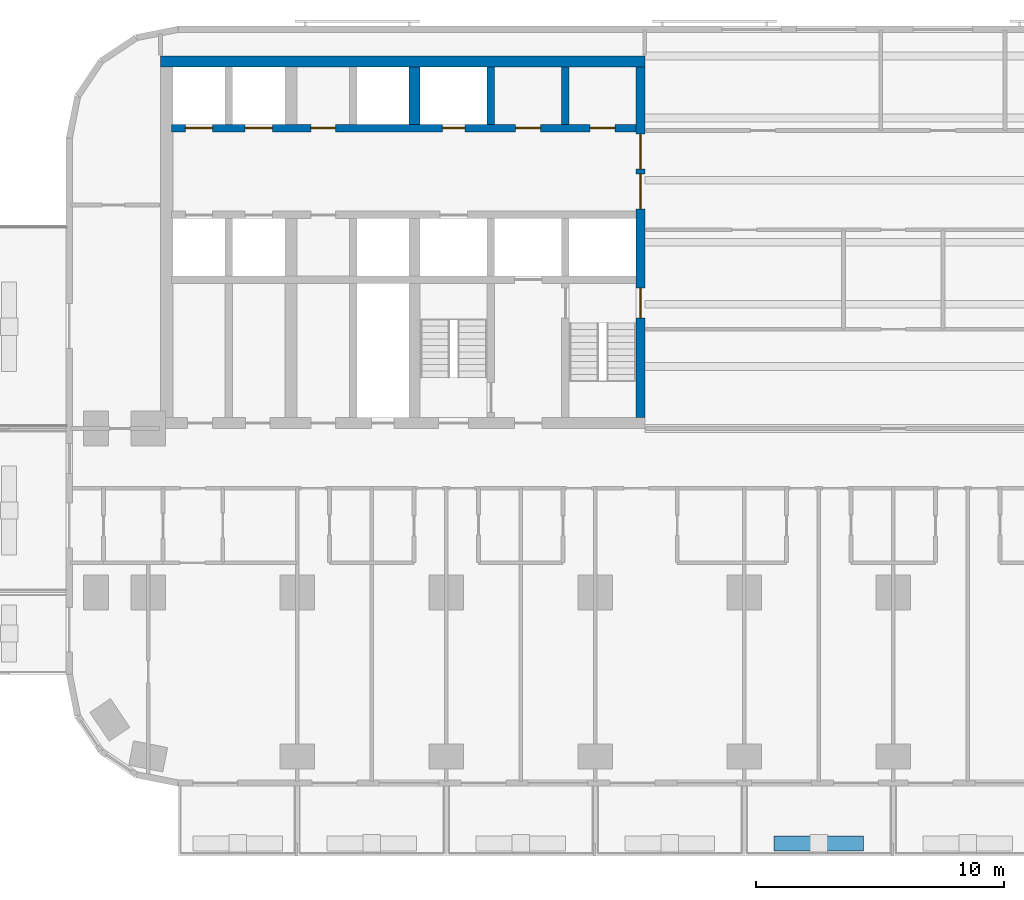
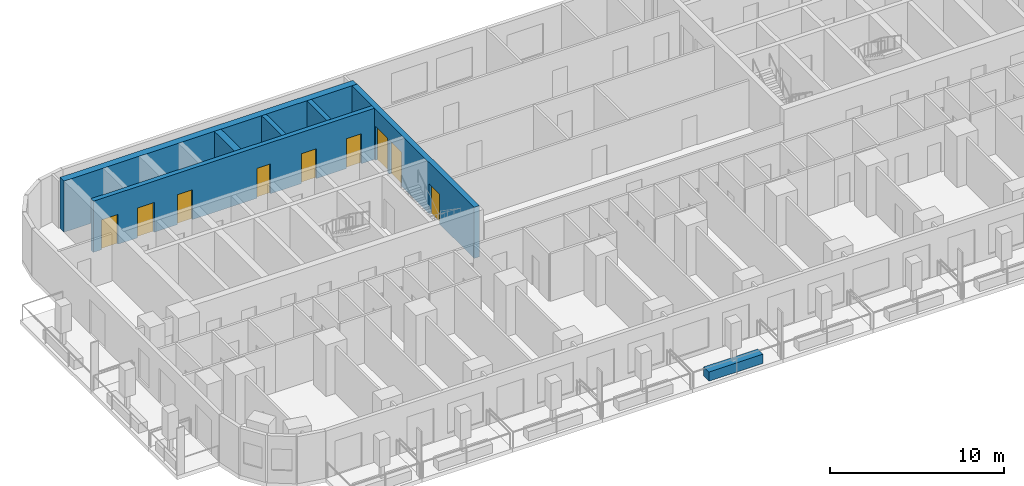
# One storey, part 4 of 15: 9 doors, 7 walls, 9 openings.
"""IFC4 building model written with IfcOpenShell, lengths in metres."""

import ifcopenshell
import ifcopenshell.guid

model = None  # the IFC model being written
_history = None  # IfcOwnerHistory: only IFC2X3 demands one
_inside = {}  # id of a spatial element -> (the spatial element, [elements in it])
_under = {}  # id of a project, library or spatial element -> (it, [spatial elements below it])
_declared = {}  # id of a project -> (the project, [libraries it declares])
_typed = {}  # id of a type object -> (the type object, [elements of that type])
_made_of = {}  # id of a material, layer set ... -> (it, [elements and type objects made of it])


def new_model(schema):
    """Start an empty IFC model of exactly this schema.

    Asked for "IFC4X3", IfcOpenShell would pick the latest addendum, in which some entities
    have other attributes; the version numbers below select the first issue.
    IFC2X3 requires an IfcOwnerHistory on every rooted entity: one is made here for all.
    """
    global model, _history
    if schema == "IFC4X3":
        model = ifcopenshell.file(schema_version=(4, 3, 0, 0))
    else:
        model = ifcopenshell.file(schema=schema)
    _inside.clear()
    _under.clear()
    _declared.clear()
    _typed.clear()
    _made_of.clear()
    _history = None
    if model.schema == "IFC2X3":
        org = make("IfcOrganization", Name="unknown")
        user = make(
            "IfcPersonAndOrganization",
            ThePerson=make("IfcPerson", FamilyName="unknown"),
            TheOrganization=org,
        )
        app = make(
            "IfcApplication",
            ApplicationDeveloper=org,
            Version="unknown",
            ApplicationFullName="unknown",
            ApplicationIdentifier="unknown",
        )
        _history = make(
            "IfcOwnerHistory",
            OwningUser=user,
            OwningApplication=app,
            ChangeAction="ADDED",
            CreationDate=0,
        )
    return model


def make(cls, **values):
    """One entity of the class cls with the attributes given. An attribute that is None is left unset."""
    return model.create_entity(
        cls, **{name: value for name, value in values.items() if value is not None}
    )


def rooted(cls, **values):
    """An entity with a GlobalId (a new one), such as an element, a storey or a relation."""
    return make(cls, GlobalId=ifcopenshell.guid.new(), OwnerHistory=_history, **values)


def si_unit(unit_type, name, prefix=None):
    """IfcSIUnit, for example si_unit("LENGTHUNIT", "METRE", prefix="MILLI")."""
    return make("IfcSIUnit", UnitType=unit_type, Prefix=prefix, Name=name)


def assignment(units):
    """IfcUnitAssignment: the units of a project."""
    return None if units is None else make("IfcUnitAssignment", Units=units)


def point(xyz):
    """IfcCartesianPoint."""
    return None if xyz is None else make("IfcCartesianPoint", Coordinates=xyz)


def direction(xyz):
    """IfcDirection."""
    return None if xyz is None else make("IfcDirection", DirectionRatios=xyz)


def frame(location, z_axis=None, x_axis=None):
    """IfcAxis2Placement3D, a coordinate frame: its origin and axes. An axis left out is left unset."""
    return make(
        "IfcAxis2Placement3D",
        Location=point(location),
        Axis=direction(z_axis),
        RefDirection=direction(x_axis),
    )


def frame_2d(location, x_axis=None):
    """IfcAxis2Placement2D, a coordinate frame in the plane: its origin and x axis."""
    return make(
        "IfcAxis2Placement2D", Location=point(location), RefDirection=direction(x_axis)
    )


def origin():
    """The frame at (0, 0, 0) with its axes left unset."""
    return frame((0.0, 0.0, 0.0))


def place(relative_to, where):
    """IfcLocalPlacement: puts the frame where relative to a parent placement (None: the world)."""
    return make(
        "IfcLocalPlacement", PlacementRelTo=relative_to, RelativePlacement=where
    )


def context(
    kind, dimensions, precision=None, world=None, true_north=None, identifier=None
):
    """IfcGeometricRepresentationContext, for example the 3D "Model" context."""
    return make(
        "IfcGeometricRepresentationContext",
        ContextIdentifier=identifier,
        ContextType=kind,
        CoordinateSpaceDimension=dimensions,
        Precision=precision,
        WorldCoordinateSystem=world,
        TrueNorth=true_north,
    )


def subcontext(parent, identifier, kind, view, scale=None):
    """IfcGeometricRepresentationSubContext, for example "Body" below "Model"."""
    return make(
        "IfcGeometricRepresentationSubContext",
        ContextIdentifier=identifier,
        ContextType=kind,
        ParentContext=parent,
        TargetScale=scale,
        TargetView=view,
    )


def project(units=None, contexts=None):
    """IfcProject with its units and contexts."""
    return rooted(
        "IfcProject",
        Name="project",
        RepresentationContexts=contexts,
        UnitsInContext=assignment(units),
    )


def spatial(cls, under=None, at=None, **own):
    """A site, building, storey or space (cls), placed at a placement, below another one or the project."""
    s = rooted(cls, ObjectPlacement=at, **own)
    if under is not None:
        _under.setdefault(under.id(), (under, []))[1].append(s)
    return s


def profile(cls, at=None, kind="AREA", **sizes):
    """A parametric profile (cls). Its sizes go by their IFC names, for example OverallWidth=200.0."""
    return make(cls, ProfileType=kind, Position=at, **sizes)


def rectangle(**sizes):
    """IfcRectangleProfileDef."""
    return profile("IfcRectangleProfileDef", **sizes)


def extrude(swept, where, along, depth):
    """IfcExtrudedAreaSolid: the profile swept, set in the frame where, extruded along a direction by depth."""
    return make(
        "IfcExtrudedAreaSolid",
        SweptArea=swept,
        Position=where,
        ExtrudedDirection=direction(along),
        Depth=depth,
    )


def shape(context_of_items, identifier, shape_type, items):
    """IfcShapeRepresentation: the items that make up one representation, for example the "Body"."""
    return make(
        "IfcShapeRepresentation",
        ContextOfItems=context_of_items,
        RepresentationIdentifier=identifier,
        RepresentationType=shape_type,
        Items=items,
    )


def material(Name=None, Category=None):
    """IfcMaterial."""
    return make("IfcMaterial", Name=Name, Category=Category)


def layer(
    of_material, thickness, ventilated=None, Name=None, Category=None, Priority=None
):
    """IfcMaterialLayer: one layer of a wall or slab, of a material (None: an air gap)."""
    return make(
        "IfcMaterialLayer",
        Material=of_material,
        LayerThickness=thickness,
        IsVentilated=ventilated,
        Name=Name,
        Category=Category,
        Priority=Priority,
    )


def layer_set(layers, Name=None):
    """IfcMaterialLayerSet."""
    return make("IfcMaterialLayerSet", MaterialLayers=layers, LayerSetName=Name)


def made_of(thing, what):
    """Note that an element or type object is made of a material, layer set ...; save() writes the relation."""
    if what is not None:
        _made_of.setdefault(what.id(), (what, []))[1].append(thing)
    return thing


def type_object(cls, material=None, **own):
    """A type object (cls), such as IfcWallType, which elements share."""
    return made_of(rooted(cls, **own), material)


def element(
    cls,
    number,
    at=None,
    inside=None,
    cuts=None,
    type_object=None,
    material=None,
    context=None,
    identifier="Body",
    shape_type=None,
    held_by="IfcProductDefinitionShape",
    body=None,
    shapes=None,
    **own,
):
    """One element of the class cls, such as IfcWall. Its Tag is "e" and its number.

    at: its placement. inside: the storey or other place that contains it. cuts: it is an
    opening in that element (IfcRelVoidsElement). A single representation is given by context,
    identifier, shape_type and body (its items); several are given by shapes. held_by: the class
    of the entity that holds the representations. save() writes the other relations.
    """
    e = rooted(cls, Tag="e%d" % number, ObjectPlacement=at, **own)
    if body is not None:
        shapes = [shape(context, identifier, shape_type, body)]
    if shapes is not None:
        e.Representation = make(held_by, Representations=shapes)
    if inside is not None:
        _inside.setdefault(inside.id(), (inside, []))[1].append(e)
    if cuts is not None:
        rooted(
            "IfcRelVoidsElement", RelatingBuildingElement=cuts, RelatedOpeningElement=e
        )
    if type_object is not None:
        _typed.setdefault(type_object.id(), (type_object, []))[1].append(e)
    return made_of(e, material)


def fill(opening, filler):
    """IfcRelFillsElement: the door or window that sits in an opening."""
    return rooted(
        "IfcRelFillsElement",
        RelatingOpeningElement=opening,
        RelatedBuildingElement=filler,
    )


def aggregate(whole, parts):
    """IfcRelAggregates: a whole, such as a stair, and the parts it consists of."""
    return rooted("IfcRelAggregates", RelatingObject=whole, RelatedObjects=parts)


def save(model, path):
    """Write the relations noted so far, then the file.

    IfcRelAggregates (storeys below a building ...), IfcRelContainedInSpatialStructure (elements
    in a storey), IfcRelDefinesByType, IfcRelAssociatesMaterial and IfcRelDeclares: one each for
    every whole, place, type object, material and project.
    """
    for whole, parts in _under.values():
        aggregate(whole, parts)
    for where, things in _inside.values():
        rooted(
            "IfcRelContainedInSpatialStructure",
            RelatedElements=things,
            RelatingStructure=where,
        )
    for kind, things in _typed.values():
        rooted("IfcRelDefinesByType", RelatedObjects=things, RelatingType=kind)
    for what, things in _made_of.values():
        rooted("IfcRelAssociatesMaterial", RelatedObjects=things, RelatingMaterial=what)
    for by, libraries in _declared.values():
        rooted("IfcRelDeclares", RelatingContext=by, RelatedDefinitions=libraries)
    model.write(path)


model = new_model("IFC4")

# Units and contexts
model_context = context("Model", 3, precision=1e-05, world=origin(), true_north=direction((0.0, 1.0)))
body_context = subcontext(model_context, "Body", "Model", "MODEL_VIEW")
ifc_project = project(units=[si_unit("LENGTHUNIT", "METRE"), si_unit("AREAUNIT", "SQUARE_METRE"), si_unit("VOLUMEUNIT", "CUBIC_METRE"), si_unit("PLANEANGLEUNIT", "RADIAN"), si_unit("MASSUNIT", "GRAM", prefix="KILO")], contexts=[model_context])

# Site, building, storey
site_placement = place(None, origin())
site = spatial("IfcSite", under=ifc_project, at=site_placement, CompositionType="ELEMENT")
building_placement = place(site_placement, origin())
building = spatial("IfcBuilding", under=site, at=building_placement, Name="Torana Hotel and Residences", CompositionType="ELEMENT")
storey_placement = place(building_placement, frame((0.0, 0.0, 52.800048828125)))
storey = spatial("IfcBuildingStorey", under=building, at=storey_placement, Name="L12", CompositionType="ELEMENT", Elevation=52.800048828125)

# Wall, openings, doors
ifc_material_1 = material(Name="Concrete C80/95", Category="concrete")
ifc_layer_1 = layer(ifc_material_1, 0.300048828125)
ifc_layer_set_1 = layer_set([ifc_layer_1], Name="CORE WALL 300 C80/95")
wall_type_1 = type_object("IfcWallType", Name="CORE WALL 300 C80/95", PredefinedType="SHEAR", material=ifc_layer_set_1)
wall_1_placement = place(storey_placement, frame((-29.050048828125, -2.89990234375, 0.0), z_axis=(0.0, 0.0, 1.0), x_axis=(1.0, 0.0, 0.0)))
wall_1 = element("IfcWall", 1, at=wall_1_placement, inside=storey, type_object=wall_type_1, Name="Core wall W row-N", PredefinedType="SHEAR", context=body_context, shape_type="SweptSolid", body=[
    extrude(rectangle(XDim=18.699951171875, YDim=0.300048828125, at=frame_2d((9.35009765625, 0.0))), origin(), (0.0, 0.0, 1.0), 3.599853515625),
])
opening_1_placement = place(wall_1_placement, frame((2.949951171875, 0.0, 0.0)))
opening_1 = element("IfcOpeningElement", 2, at=opening_1_placement, cuts=wall_1, Name="Opening LD", PredefinedType="OPENING", context=body_context, shape_type="SweptSolid", body=[
    extrude(rectangle(XDim=1.10009765625, YDim=2.10009765625, at=frame_2d((0.550048828125, 1.050048828125))), frame((0.0, 0.159912109375, 0.0), z_axis=(0.0, -1.0, 0.0), x_axis=(1.0, 0.0, 0.0)), (0.0, 0.0, 1.0), 0.320068359375),
])
opening_2_placement = place(wall_1_placement, frame((0.550048828125, 0.0, 0.0)))
opening_2 = element("IfcOpeningElement", 3, at=opening_2_placement, cuts=wall_1, Name="Opening LD", PredefinedType="OPENING", context=body_context, shape_type="SweptSolid", body=[
    extrude(rectangle(XDim=1.10009765625, YDim=2.10009765625, at=frame_2d((0.550048828125, 1.050048828125))), frame((0.0, 0.159912109375, 0.0), z_axis=(0.0, -1.0, 0.0), x_axis=(1.0, 0.0, 0.0)), (0.0, 0.0, 1.0), 0.320068359375),
])
opening_3_placement = place(wall_1_placement, frame((10.89990234375, 0.0, 0.0)))
opening_3 = element("IfcOpeningElement", 4, at=opening_3_placement, cuts=wall_1, Name="Opening L12-10", PredefinedType="OPENING", context=body_context, shape_type="SweptSolid", body=[
    extrude(rectangle(XDim=0.89990234375, YDim=2.10009765625, at=frame_2d((0.449951171875, 1.050048828125))), frame((0.0, 0.159912109375, 0.0), z_axis=(0.0, -1.0, 0.0), x_axis=(1.0, 0.0, 0.0)), (0.0, 0.0, 1.0), 0.320068359375),
])
opening_4_placement = place(wall_1_placement, frame((16.85009765625, 0.0, 0.0)))
opening_4 = element("IfcOpeningElement", 5, at=opening_4_placement, cuts=wall_1, Name="Opening L12-11", PredefinedType="OPENING", context=body_context, shape_type="SweptSolid", body=[
    extrude(rectangle(XDim=1.0, YDim=2.10009765625, at=frame_2d((0.5, 1.050048828125))), frame((0.0, 0.159912109375, 0.0), z_axis=(0.0, -1.0, 0.0), x_axis=(1.0, 0.0, 0.0)), (0.0, 0.0, 1.0), 0.320068359375),
])
opening_5_placement = place(wall_1_placement, frame((13.85009765625, 0.0, 0.0)))
opening_5 = element("IfcOpeningElement", 6, at=opening_5_placement, cuts=wall_1, Name="Opening L12-12", PredefinedType="OPENING", context=body_context, shape_type="SweptSolid", body=[
    extrude(rectangle(XDim=1.0, YDim=2.10009765625, at=frame_2d((0.5, 1.050048828125))), frame((0.0, 0.159912109375, 0.0), z_axis=(0.0, -1.0, 0.0), x_axis=(1.0, 0.0, 0.0)), (0.0, 0.0, 1.0), 0.320068359375),
])
opening_6_placement = place(wall_1_placement, frame((5.60009765625, 0.0, 0.0)))
opening_6 = element("IfcOpeningElement", 7, at=opening_6_placement, cuts=wall_1, Name="Opening L12-13", PredefinedType="OPENING", context=body_context, shape_type="SweptSolid", body=[
    extrude(rectangle(XDim=1.0, YDim=2.10009765625, at=frame_2d((0.5, 1.050048828125))), frame((0.0, 0.159912109375, 0.0), z_axis=(0.0, -1.0, 0.0), x_axis=(1.0, 0.0, 0.0)), (0.0, 0.0, 1.0), 0.320068359375),
])
ifc_material_2 = material(Name="Steel S235", Category="steel")
door_type_1 = type_object("IfcDoorType", Name="CORE ROOM FIRE DOOR D14 1000x2100", OperationType="SINGLE_SWING_LEFT", PredefinedType="DOOR", material=ifc_material_2)
door_1_placement = place(opening_4_placement, origin())
door_1 = element("IfcDoor", 8, at=door_1_placement, inside=storey, type_object=door_type_1, Name="N0 door L12", OperationType="SINGLE_SWING_RIGHT", OverallHeight=2.10009765625, OverallWidth=1.0, PredefinedType="DOOR", context=body_context, shape_type="SweptSolid", body=[
    extrude(rectangle(XDim=1.0, YDim=2.10009765625, at=frame_2d((0.5, 1.050048828125))), frame((0.0, 0.02490234375, 0.0), z_axis=(0.0, -1.0, 0.0), x_axis=(1.0, 0.0, 0.0)), (0.0, 0.0, 1.0), 0.050048828125),
])
fill(opening_4, door_1)
door_2_placement = place(opening_5_placement, origin())
door_2 = element("IfcDoor", 9, at=door_2_placement, inside=storey, type_object=door_type_1, Name="N1 door L12", OperationType="SINGLE_SWING_RIGHT", OverallHeight=2.10009765625, OverallWidth=1.0, PredefinedType="DOOR", context=body_context, shape_type="SweptSolid", body=[
    extrude(rectangle(XDim=1.0, YDim=2.10009765625, at=frame_2d((0.5, 1.050048828125))), frame((0.0, 0.02490234375, 0.0), z_axis=(0.0, -1.0, 0.0), x_axis=(1.0, 0.0, 0.0)), (0.0, 0.0, 1.0), 0.050048828125),
])
fill(opening_5, door_2)
door_3_placement = place(opening_6_placement, origin())
door_3 = element("IfcDoor", 10, at=door_3_placement, inside=storey, type_object=door_type_1, Name="Free-M1 door L12", OperationType="SINGLE_SWING_RIGHT", OverallHeight=2.10009765625, OverallWidth=1.0, PredefinedType="DOOR", context=body_context, shape_type="SweptSolid", body=[
    extrude(rectangle(XDim=1.0, YDim=2.10009765625, at=frame_2d((0.5, 1.050048828125))), frame((0.0, 0.02490234375, 0.0), z_axis=(0.0, -1.0, 0.0), x_axis=(1.0, 0.0, 0.0)), (0.0, 0.0, 1.0), 0.050048828125),
])
fill(opening_6, door_3)
ifc_material_3 = material(Name="Stainless steel 316", Category="steel")
door_type_2 = type_object("IfcDoorType", Name="LIFT LANDING DOOR LD 1100x2100", OperationType="DOUBLE_DOOR_SLIDING", PredefinedType="USERDEFINED", material=ifc_material_3)
door_4_placement = place(opening_1_placement, origin())
door_4 = element("IfcDoor", 11, at=door_4_placement, inside=storey, type_object=door_type_2, Name="Lift landing door L1 L12", ObjectType="LIFT LANDING DOOR", OperationType="DOUBLE_DOOR_SLIDING", OverallHeight=2.10009765625, OverallWidth=1.10009765625, PredefinedType="USERDEFINED", context=body_context, shape_type="SweptSolid", body=[
    extrude(rectangle(XDim=1.10009765625, YDim=2.10009765625, at=frame_2d((0.550048828125, 1.050048828125))), frame((0.0, 0.02490234375, 0.0), z_axis=(0.0, -1.0, 0.0), x_axis=(1.0, 0.0, 0.0)), (0.0, 0.0, 1.0), 0.050048828125),
])
fill(opening_1, door_4)
door_5_placement = place(opening_2_placement, origin())
door_5 = element("IfcDoor", 12, at=door_5_placement, inside=storey, type_object=door_type_2, Name="Lift landing door L2 L12", ObjectType="LIFT LANDING DOOR", OperationType="DOUBLE_DOOR_SLIDING", OverallHeight=2.10009765625, OverallWidth=1.10009765625, PredefinedType="USERDEFINED", context=body_context, shape_type="SweptSolid", body=[
    extrude(rectangle(XDim=1.10009765625, YDim=2.10009765625, at=frame_2d((0.550048828125, 1.050048828125))), frame((0.0, 0.02490234375, 0.0), z_axis=(0.0, -1.0, 0.0), x_axis=(1.0, 0.0, 0.0)), (0.0, 0.0, 1.0), 0.050048828125),
])
fill(opening_2, door_5)
ifc_material_4 = material(Name="Steel S235", Category="steel")
door_type_3 = type_object("IfcDoorType", Name="RISER ACCESS DOOR D5 900x2100", OperationType="SINGLE_SWING_LEFT", PredefinedType="DOOR", material=ifc_material_4)
door_6_placement = place(opening_3_placement, origin())
door_6 = element("IfcDoor", 13, at=door_6_placement, inside=storey, type_object=door_type_3, Name="N2 door L12", OperationType="SINGLE_SWING_RIGHT", OverallHeight=2.10009765625, OverallWidth=0.89990234375, PredefinedType="DOOR", context=body_context, shape_type="SweptSolid", body=[
    extrude(rectangle(XDim=0.89990234375, YDim=2.10009765625, at=frame_2d((0.449951171875, 1.050048828125))), frame((0.0, 0.02490234375, 0.0), z_axis=(0.0, -1.0, 0.0), x_axis=(1.0, 0.0, 0.0)), (0.0, 0.0, 1.0), 0.050048828125),
])
fill(opening_3, door_6)

# Walls
for number, where, z_axis, x_axis, name in (
    (14, (-13.199951171875, -2.75, 0.0), (0.0, 0.0, 1.0), (0.0, 1.0, 0.0), "Core wall W x3.05-N"),
    (15, (-16.199951171875, -2.75, 0.0), (0.0, 0.0, 1.0), (0.0, 1.0, 0.0), "Core wall W x6.05-N"),
):
    element("IfcWall", number, at=place(storey_placement, frame(where, z_axis=z_axis, x_axis=x_axis)), inside=storey, type_object=wall_type_1, Name=name, PredefinedType="SHEAR", context=body_context, shape_type="SweptSolid", body=[
        extrude(rectangle(XDim=2.300048828125, YDim=0.300048828125, at=frame_2d((1.14990234375, 0.0))), origin(), (0.0, 0.0, 1.0), 3.599853515625),
    ])

# Wall, openings, doors
ifc_material_5 = material(Name="Concrete C80/95", Category="concrete")
ifc_layer_2 = layer(ifc_material_5, 0.35009765625)
ifc_layer_set_2 = layer_set([ifc_layer_2], Name="CORE WALL 350 C80/95")
wall_type_2 = type_object("IfcWallType", Name="CORE WALL 350 C80/95", PredefinedType="SHEAR", material=ifc_layer_set_2)
wall_2_placement = place(storey_placement, frame((-10.175048828125, -14.550048828125, 0.0), z_axis=(0.0, 0.0, 1.0), x_axis=(0.0, 1.0, 0.0)))
wall_2 = element("IfcWall", 16, at=wall_2_placement, inside=storey, type_object=wall_type_2, Name="Core wall W arch", PredefinedType="SHEAR", context=body_context, shape_type="SweptSolid", body=[
    extrude(rectangle(XDim=14.10009765625, YDim=0.35009765625, at=frame_2d((7.050048828125, 0.0))), origin(), (0.0, 0.0, 1.0), 3.599853515625),
])
opening_7_placement = place(wall_2_placement, frame((8.39990234375, 0.0, 0.0)))
opening_7 = element("IfcOpeningElement", 17, at=opening_7_placement, cuts=wall_2, Name="Opening L12-01", PredefinedType="OPENING", context=body_context, shape_type="SweptSolid", body=[
    extrude(rectangle(XDim=1.39990234375, YDim=2.39990234375, at=frame_2d((0.699951171875, 1.199951171875))), frame((0.0, 0.18505859375, 0.0), z_axis=(0.0, -1.0, 0.0), x_axis=(1.0, 0.0, 0.0)), (0.0, 0.0, 1.0), 0.3701171875),
])
opening_8_placement = place(wall_2_placement, frame((10.0, 0.0, 0.0)))
opening_8 = element("IfcOpeningElement", 18, at=opening_8_placement, cuts=wall_2, Name="Opening L12-02", PredefinedType="OPENING", context=body_context, shape_type="SweptSolid", body=[
    extrude(rectangle(XDim=1.39990234375, YDim=2.39990234375, at=frame_2d((0.699951171875, 1.199951171875))), frame((0.0, 0.18505859375, 0.0), z_axis=(0.0, -1.0, 0.0), x_axis=(1.0, 0.0, 0.0)), (0.0, 0.0, 1.0), 0.3701171875),
])
opening_9_placement = place(wall_2_placement, frame((4.0, 0.0, 0.0)))
opening_9 = element("IfcOpeningElement", 19, at=opening_9_placement, cuts=wall_2, Name="Opening L12-03", PredefinedType="OPENING", context=body_context, shape_type="SweptSolid", body=[
    extrude(rectangle(XDim=1.199951171875, YDim=2.10009765625, at=frame_2d((0.60009765625, 1.050048828125))), frame((0.0, 0.18505859375, 0.0), z_axis=(0.0, -1.0, 0.0), x_axis=(1.0, 0.0, 0.0)), (0.0, 0.0, 1.0), 0.3701171875),
])
ifc_material_6 = material(Name="Steel S235", Category="steel")
door_type_4 = type_object("IfcDoorType", Name="LOBBY FIRE DOOR D4 1400x2400", OperationType="DOUBLE_DOOR_SINGLE_SWING", PredefinedType="DOOR", material=ifc_material_6)
door_7_placement = place(opening_7_placement, origin())
door_7 = element("IfcDoor", 20, at=door_7_placement, inside=storey, type_object=door_type_4, Name="Lobby-1 door L12", OperationType="DOUBLE_DOOR_SINGLE_SWING", OverallHeight=2.39990234375, OverallWidth=1.39990234375, PredefinedType="DOOR", context=body_context, shape_type="SweptSolid", body=[
    extrude(rectangle(XDim=1.39990234375, YDim=2.39990234375, at=frame_2d((0.699951171875, 1.199951171875))), frame((0.0, 0.02490234375, 0.0), z_axis=(0.0, -1.0, 0.0), x_axis=(1.0, 0.0, 0.0)), (0.0, 0.0, 1.0), 0.050048828125),
])
fill(opening_7, door_7)
door_8_placement = place(opening_8_placement, origin())
door_8 = element("IfcDoor", 21, at=door_8_placement, inside=storey, type_object=door_type_4, Name="Lobby-2 door L12", OperationType="DOUBLE_DOOR_SINGLE_SWING", OverallHeight=2.39990234375, OverallWidth=1.39990234375, PredefinedType="DOOR", context=body_context, shape_type="SweptSolid", body=[
    extrude(rectangle(XDim=1.39990234375, YDim=2.39990234375, at=frame_2d((0.699951171875, 1.199951171875))), frame((0.0, 0.02490234375, 0.0), z_axis=(0.0, -1.0, 0.0), x_axis=(1.0, 0.0, 0.0)), (0.0, 0.0, 1.0), 0.050048828125),
])
fill(opening_8, door_8)
ifc_material_7 = material(Name="Steel S235", Category="steel")
door_type_5 = type_object("IfcDoorType", Name="STAIR FIRE DOOR D3 1200x2100", OperationType="SINGLE_SWING_LEFT", PredefinedType="DOOR", material=ifc_material_7)
door_9_placement = place(opening_9_placement, origin())
door_9 = element("IfcDoor", 22, at=door_9_placement, inside=storey, type_object=door_type_5, Name="Stair-A door L12", OperationType="SINGLE_SWING_LEFT", OverallHeight=2.10009765625, OverallWidth=1.199951171875, PredefinedType="DOOR", context=body_context, shape_type="SweptSolid", body=[
    extrude(rectangle(XDim=1.199951171875, YDim=2.10009765625, at=frame_2d((0.60009765625, 1.050048828125))), frame((0.0, 0.02490234375, 0.0), z_axis=(0.0, -1.0, 0.0), x_axis=(1.0, 0.0, 0.0)), (0.0, 0.0, 1.0), 0.050048828125),
])
fill(opening_9, door_9)

# Walls
ifc_material_8 = material(Name="Concrete C80/95", Category="concrete")
ifc_layer_3 = layer(ifc_material_8, 0.449951171875)
ifc_layer_set_3 = layer_set([ifc_layer_3], Name="CORE WALL 450 C80/95")
wall_type_3 = type_object("IfcWallType", Name="CORE WALL 450 C80/95", PredefinedType="SHEAR", material=ifc_layer_set_3)
wall_3_placement = place(storey_placement, frame((-29.5, -0.22509765625, 0.0), z_axis=(0.0, 0.0, 1.0), x_axis=(1.0, 0.0, 0.0)))
element("IfcWall", 23, at=wall_3_placement, inside=storey, type_object=wall_type_3, Name="Core wall W rear", PredefinedType="SHEAR", context=body_context, shape_type="SweptSolid", body=[
    extrude(rectangle(XDim=19.5, YDim=0.449951171875, at=frame_2d((9.75, 0.0))), origin(), (0.0, 0.0, 1.0), 3.599853515625),
])
wall_4_placement = place(storey_placement, frame((-19.27490234375, -2.75, 0.0), z_axis=(0.0, 0.0, 1.0), x_axis=(0.0, 1.0, 0.0)))
element("IfcWall", 24, at=wall_4_placement, inside=storey, type_object=wall_type_3, Name="Core wall W hm-N", PredefinedType="SHEAR", context=body_context, shape_type="SweptSolid", body=[
    extrude(rectangle(XDim=2.300048828125, YDim=0.449951171875, at=frame_2d((1.14990234375, 0.0))), origin(), (0.0, 0.0, 1.0), 3.599853515625),
])
ifc_material_9 = material(Name="Concrete C40/50 precast", Category="concrete")
ifc_layer_4 = layer(ifc_material_9, 0.10009765625, Name="Planter shell", Category="structure")
ifc_material_10 = material(Name="Root resistant membrane")
ifc_layer_5 = layer(ifc_material_10, 0.00390625, Name="Waterproofing membrane", Category="membrane")
ifc_material_11 = material(Name="Drainage board with filter fleece")
ifc_layer_6 = layer(ifc_material_11, 0.02001953125, Name="Drainage board", Category="drainage")
ifc_material_12 = material(Name="Growing medium")
ifc_layer_7 = layer(ifc_material_12, 0.47607421875, Name="Planting substrate", Category="soil")
ifc_layer_set_4 = layer_set([ifc_layer_4, ifc_layer_5, ifc_layer_6, ifc_layer_7], Name="PL1 BALCONY PLANTER 600")
wall_type_4 = type_object("IfcWallType", Name="PL1 BALCONY PLANTER 600", PredefinedType="USERDEFINED", material=ifc_layer_set_4)
wall_5_placement = place(storey_placement, frame((-1.199951171875, -31.699951171875, 0.0), z_axis=(0.0, 0.0, 1.0), x_axis=(-1.0, 0.0, 0.0)))
element("IfcWall", 25, at=wall_5_placement, inside=storey, type_object=wall_type_4, Name="Planter 05", ObjectType="PLANTER", PredefinedType="USERDEFINED", context=body_context, shape_type="SweptSolid", body=[
    extrude(rectangle(XDim=3.60009765625, YDim=0.60009765625, at=frame_2d((1.800048828125, 0.0))), origin(), (0.0, 0.0, 1.0), 0.64990234375),
])

save(model, "model.ifc")
